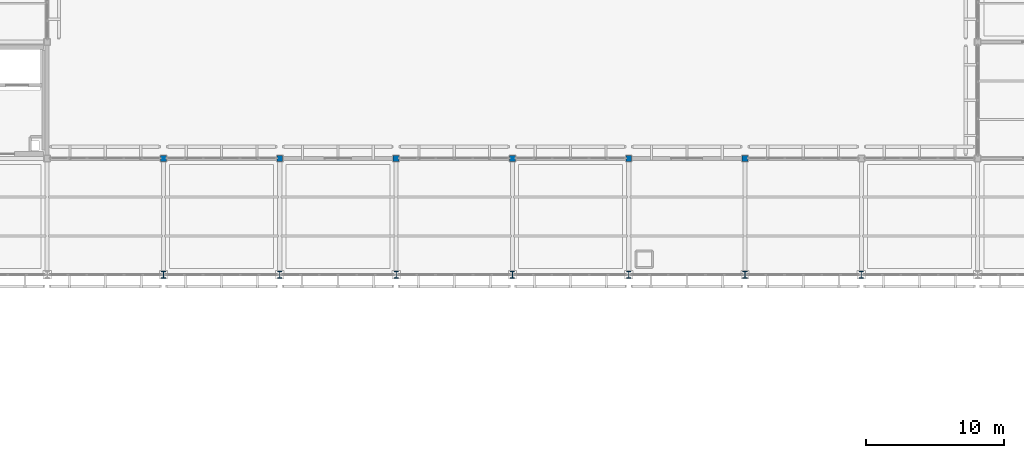
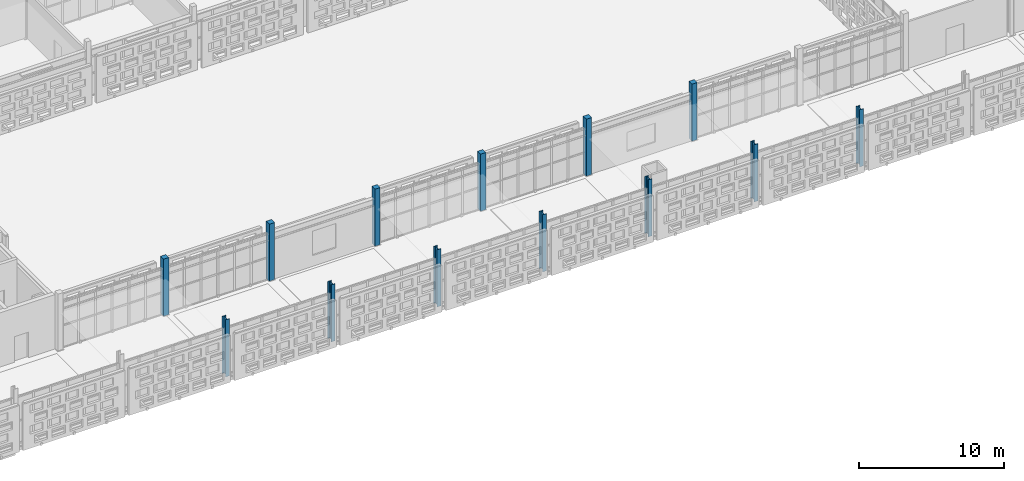
# One storey, part 7 of 203: 13 columns.
"""IFC4 building model written with IfcOpenShell, lengths in metres."""

from ifc_helpers import new_model, si_unit, direction, frame, origin, origin_2d, place, context, subcontext, project, spatial, rectangle, i_section, extrude, material, material_profile, profile_set, type_object, element, save


model = new_model("IFC4")

# Units and contexts
model_context = context("Model", 3, precision=1e-05, world=origin(), true_north=direction((0.0, 1.0)))
body_context = subcontext(model_context, "Body", "Model", "MODEL_VIEW")
ifc_project = project(units=[si_unit("LENGTHUNIT", "METRE"), si_unit("AREAUNIT", "SQUARE_METRE"), si_unit("VOLUMEUNIT", "CUBIC_METRE"), si_unit("PLANEANGLEUNIT", "RADIAN"), si_unit("MASSUNIT", "GRAM", prefix="KILO")], contexts=[model_context])

# Site, building, storey
site_placement = place(None, origin())
site = spatial("IfcSite", under=ifc_project, at=site_placement, CompositionType="ELEMENT")
building_placement = place(site_placement, origin())
building = spatial("IfcBuilding", under=site, at=building_placement, Name="Varnapada Polytechnic", CompositionType="ELEMENT")
storey_placement = place(building_placement, frame((0.0, 0.0, 4.800048828125)))
storey = spatial("IfcBuildingStorey", under=building, at=storey_placement, Name="L01", CompositionType="ELEMENT", Elevation=4.800048828125)

# Columns
ifc_material_1 = material(Name="Steel S355", Category="steel")
ifc_material_profile_1 = material_profile(ifc_material_1, i_section(OverallWidth=0.300048828125, OverallDepth=0.5, WebThickness=0.014404296875, FlangeThickness=0.028076171875, FilletRadius=0.027099609375, at=origin_2d()), Name="HEB 500")
ifc_profile_set_1 = profile_set([ifc_material_profile_1], Name="Steel S355")
column_type_1 = type_object("IfcColumnType", Name="Column C-06 (HEB 500)", PredefinedType="COLUMN", material=ifc_profile_set_1)
for number, where, z_axis, x_axis, name in (
    (1, (67.199951171875, 84.0, 0.0), (0.0, 0.0, 1.0), (1.0, 0.0, 0.0), "L01 column 9/11"),
    (2, (75.60009765625, 84.0, 0.0), (0.0, 0.0, 1.0), (1.0, 0.0, 0.0), "L01 column 10/11"),
    (3, (84.0, 84.0, 0.0), (0.0, 0.0, 1.0), (1.0, 0.0, 0.0), "L01 column 11/11"),
    (4, (92.39990234375, 84.0, 0.0), (0.0, 0.0, 1.0), (1.0, 0.0, 0.0), "L01 column 12/11"),
    (5, (100.800048828125, 84.0, 0.0), (0.0, 0.0, 1.0), (1.0, 0.0, 0.0), "L01 column 13/11"),
    (6, (109.199951171875, 84.0, 0.0), (0.0, 0.0, 1.0), (1.0, 0.0, 0.0), "L01 column 14/11"),
    (7, (117.60009765625, 84.0, 0.0), (0.0, 0.0, 1.0), (1.0, 0.0, 0.0), "L01 column 15/11"),
):
    element("IfcColumn", number, at=place(storey_placement, frame(where, z_axis=z_axis, x_axis=x_axis)), inside=storey, type_object=column_type_1, Name=name, PredefinedType="COLUMN", context=body_context, shape_type="SweptSolid", body=[
        extrude(i_section(OverallWidth=0.300048828125, OverallDepth=0.5, WebThickness=0.014404296875, FlangeThickness=0.028076171875, FilletRadius=0.027099609375, at=origin_2d()), origin(), (0.0, 0.0, 1.0), 4.800048828125),
    ])
ifc_material_2 = material(Name="Glulam GL32h", Category="wood")
ifc_material_profile_2 = material_profile(ifc_material_2, rectangle(XDim=0.419921875, YDim=0.419921875, at=origin_2d()), Name="GL 420x420")
ifc_profile_set_2 = profile_set([ifc_material_profile_2], Name="Glulam GL32h")
column_type_2 = type_object("IfcColumnType", Name="Column C-23 (GL 420x420)", PredefinedType="COLUMN", material=ifc_profile_set_2)
for number, where, z_axis, x_axis, name in (
    (8, (67.199951171875, 92.39990234375, 0.0), (0.0, 0.0, 1.0), (1.0, 0.0, 0.0), "L01 column 9/12"),
    (9, (75.60009765625, 92.39990234375, 0.0), (0.0, 0.0, 1.0), (1.0, 0.0, 0.0), "L01 column 10/12"),
    (10, (84.0, 92.39990234375, 0.0), (0.0, 0.0, 1.0), (1.0, 0.0, 0.0), "L01 column 11/12"),
    (11, (92.39990234375, 92.39990234375, 0.0), (0.0, 0.0, 1.0), (1.0, 0.0, 0.0), "L01 column 12/12"),
    (12, (100.800048828125, 92.39990234375, 0.0), (0.0, 0.0, 1.0), (1.0, 0.0, 0.0), "L01 column 13/12"),
    (13, (109.199951171875, 92.39990234375, 0.0), (0.0, 0.0, 1.0), (1.0, 0.0, 0.0), "L01 column 14/12"),
):
    element("IfcColumn", number, at=place(storey_placement, frame(where, z_axis=z_axis, x_axis=x_axis)), inside=storey, type_object=column_type_2, Name=name, PredefinedType="COLUMN", context=body_context, shape_type="SweptSolid", body=[
        extrude(rectangle(XDim=0.419921875, YDim=0.419921875, at=origin_2d()), origin(), (0.0, 0.0, 1.0), 4.800048828125),
    ])

save(model, "model.ifc")
